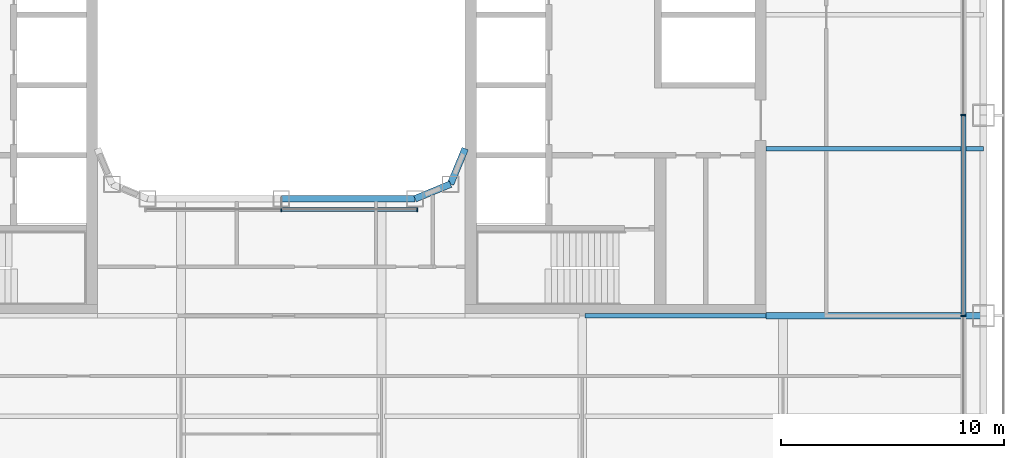
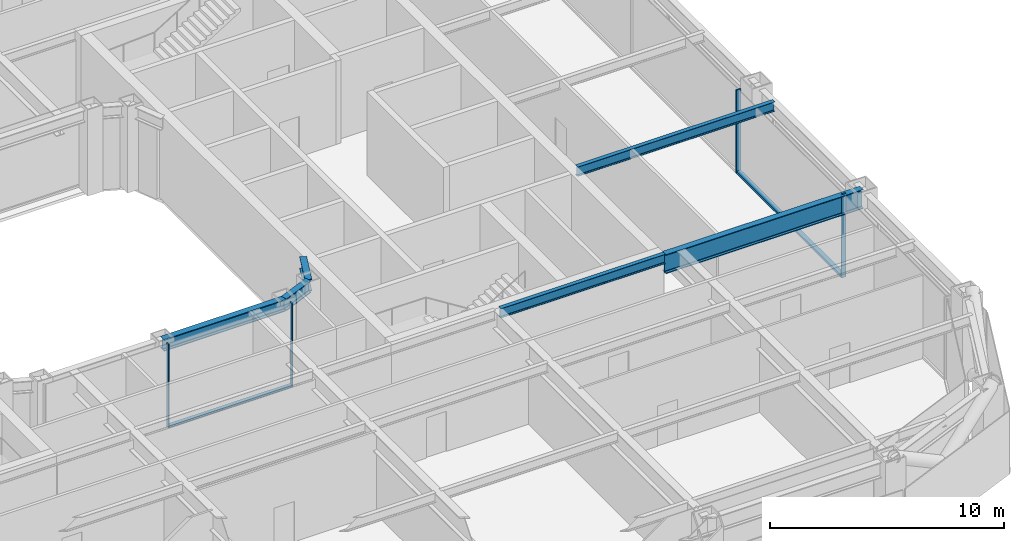
# One storey, part 5 of 27: 6 beams, 6 members, 2 elements without a shape of their own.
"""IFC4 building model written with IfcOpenShell, lengths in metres."""

from ifc_helpers import new_model, si_unit, direction, frame, origin, origin_2d, place, context, subcontext, project, spatial, rectangle, i_section, extrude, material, layer, layer_set, material_profile, profile_set, type_object, element, aggregate, save


model = new_model("IFC4")

# Units and contexts
model_context = context("Model", 3, precision=1e-05, world=origin(), true_north=direction((0.0, 1.0)))
body_context = subcontext(model_context, "Body", "Model", "MODEL_VIEW")
ifc_project = project(units=[si_unit("LENGTHUNIT", "METRE"), si_unit("AREAUNIT", "SQUARE_METRE"), si_unit("VOLUMEUNIT", "CUBIC_METRE"), si_unit("PLANEANGLEUNIT", "RADIAN"), si_unit("MASSUNIT", "GRAM", prefix="KILO")], contexts=[model_context])

# Site, building, storey
site_placement = place(None, origin())
site = spatial("IfcSite", under=ifc_project, at=site_placement, CompositionType="ELEMENT")
building_placement = place(site_placement, origin())
building = spatial("IfcBuilding", under=site, at=building_placement, Name="Siwar Civic Tower", CompositionType="ELEMENT")
storey_placement = place(building_placement, frame((0.0, 0.0, 71.699951171875)))
storey = spatial("IfcBuildingStorey", under=building, at=storey_placement, Name="L15", CompositionType="ELEMENT", Elevation=71.699951171875)

# Curtain wall, members
ifc_material_1 = material(Name="Aluminium and glass", Category="aluminium")
ifc_layer_1 = layer(ifc_material_1, 0.219970703125)
ifc_layer_set_1 = layer_set([ifc_layer_1], Name="Aluminium and glass")
curtain_wall_type_1 = type_object("IfcCurtainWallType", Name="ENV-CW-A", PredefinedType="NOTDEFINED", material=ifc_layer_set_1)
curtain_wall_1_placement = place(storey_placement, origin())
curtain_wall_1 = element("IfcCurtainWall", 1, at=curtain_wall_1_placement, inside=storey, type_object=curtain_wall_type_1, Name="Curtain wall A E", PredefinedType="NOTDEFINED")
ifc_material_2 = material(Name="Aluminium 6063-T6", Category="aluminium")
ifc_material_profile_1 = material_profile(ifc_material_2, rectangle(XDim=0.219970703125, YDim=0.070068359375, at=origin_2d()), Name="AL 220x70")
ifc_profile_set_1 = profile_set([ifc_material_profile_1], Name="Aluminium 6063-T6")
member_type_1 = type_object("IfcMemberType", Name="ENV-MULLION-A", PredefinedType="MULLION", material=ifc_profile_set_1)
member_1_placement = place(storey_placement, frame((30.60009765625, -13.5, 0.0), z_axis=(0.0, 0.0, 1.0), x_axis=(-1.0, 0.0, 0.0)))
member_1 = element("IfcMember", 2, at=member_1_placement, type_object=member_type_1, Name="Mullion A E 2", PredefinedType="MULLION", context=body_context, shape_type="SweptSolid", body=[
    extrude(rectangle(XDim=0.219970703125, YDim=0.070068359375, at=origin_2d()), origin(), (0.0, 0.0, 1.0), 4.35009765625),
])
member_2_placement = place(storey_placement, frame((30.60009765625, -4.5, 0.0), z_axis=(0.0, 0.0, 1.0), x_axis=(-1.0, 0.0, 0.0)))
member_2 = element("IfcMember", 3, at=member_2_placement, type_object=member_type_1, Name="Mullion A E 3", PredefinedType="MULLION", context=body_context, shape_type="SweptSolid", body=[
    extrude(rectangle(XDim=0.219970703125, YDim=0.070068359375, at=origin_2d()), origin(), (0.0, 0.0, 1.0), 4.35009765625),
])

ifc_material_3 = material(Name="Aluminium and glass", Category="aluminium")
ifc_layer_2 = layer(ifc_material_3, 0.179931640625)
ifc_layer_set_2 = layer_set([ifc_layer_2], Name="Aluminium and glass")
curtain_wall_type_2 = type_object("IfcCurtainWallType", Name="ENV-CW-W", PredefinedType="NOTDEFINED", material=ifc_layer_set_2)
curtain_wall_2_placement = place(storey_placement, origin())
curtain_wall_2 = element("IfcCurtainWall", 4, at=curtain_wall_2_placement, inside=storey, type_object=curtain_wall_type_2, Name="Curtain wall W WS", PredefinedType="NOTDEFINED")
ifc_material_4 = material(Name="Aluminium 6063-T6", Category="aluminium")
ifc_material_profile_2 = material_profile(ifc_material_4, rectangle(XDim=0.179931640625, YDim=0.06005859375, at=origin_2d()), Name="AL 180x60")
ifc_profile_set_2 = profile_set([ifc_material_profile_2], Name="Aluminium 6063-T6")
member_type_2 = type_object("IfcMemberType", Name="ENV-MULLION-W", PredefinedType="MULLION", material=ifc_profile_set_2)
member_3_placement = place(storey_placement, frame((0.0, -8.735107421875, 0.0), z_axis=(0.0, 0.0, 1.0), x_axis=(0.0, 1.0, 0.0)))
member_3 = element("IfcMember", 5, at=member_3_placement, type_object=member_type_2, Name="Mullion W WS 2", PredefinedType="MULLION", context=body_context, shape_type="SweptSolid", body=[
    extrude(rectangle(XDim=0.179931640625, YDim=0.06005859375, at=origin_2d()), origin(), (0.0, 0.0, 1.0), 4.35009765625),
])
member_4_placement = place(storey_placement, frame((6.096435546875, -8.735107421875, 0.0), z_axis=(0.0, 0.0, 1.0), x_axis=(0.0, 1.0, 0.0)))
member_4 = element("IfcMember", 6, at=member_4_placement, type_object=member_type_2, Name="Mullion W WS 3", PredefinedType="MULLION", context=body_context, shape_type="SweptSolid", body=[
    extrude(rectangle(XDim=0.179931640625, YDim=0.06005859375, at=origin_2d()), origin(), (0.0, 0.0, 1.0), 4.35009765625),
])

# Member
ifc_material_5 = material(Name="Aluminium 6063-T6", Category="aluminium")
ifc_material_profile_3 = material_profile(ifc_material_5, rectangle(XDim=0.219970703125, YDim=0.1201171875, at=origin_2d()), Name="AL 220x120")
ifc_profile_set_3 = profile_set([ifc_material_profile_3], Name="Aluminium 6063-T6")
member_type_3 = type_object("IfcMemberType", Name="ENV-TRANSOM-A", PredefinedType="USERDEFINED", material=ifc_profile_set_3)
member_5_placement = place(storey_placement, frame((30.60009765625, -13.465087890625, 0.06005859375), z_axis=(0.0, 1.0, 0.0), x_axis=(-1.0, 0.0, 0.0)))
member_5 = element("IfcMember", 7, at=member_5_placement, type_object=member_type_3, Name="Transom A E 2", ObjectType="TRANSOM", PredefinedType="USERDEFINED", context=body_context, shape_type="SweptSolid", body=[
    extrude(rectangle(XDim=0.219970703125, YDim=0.1201171875, at=origin_2d()), origin(), (0.0, 0.0, 1.0), 8.93017578125),
])

aggregate(curtain_wall_1, [member_1, member_2, member_5])

ifc_material_6 = material(Name="Aluminium 6063-T6", Category="aluminium")
ifc_material_profile_4 = material_profile(ifc_material_6, rectangle(XDim=0.179931640625, YDim=0.10009765625, at=origin_2d()), Name="AL 180x100")
ifc_profile_set_4 = profile_set([ifc_material_profile_4], Name="Aluminium 6063-T6")
member_type_4 = type_object("IfcMemberType", Name="ENV-TRANSOM-W", PredefinedType="USERDEFINED", material=ifc_profile_set_4)
member_6_placement = place(storey_placement, frame((0.030029296875, -8.735107421875, 0.050048828125), z_axis=(1.0, 0.0, 0.0), x_axis=(0.0, 1.0, 0.0)))
member_6 = element("IfcMember", 8, at=member_6_placement, type_object=member_type_4, Name="Transom W WS 2", ObjectType="TRANSOM", PredefinedType="USERDEFINED", context=body_context, shape_type="SweptSolid", body=[
    extrude(rectangle(XDim=0.179931640625, YDim=0.10009765625, at=origin_2d()), origin(), (0.0, 0.0, 1.0), 6.036376953125),
])

aggregate(curtain_wall_2, [member_3, member_4, member_6])

# Beams
ifc_material_7 = material(Name="Steel S355", Category="steel")
ifc_material_profile_5 = material_profile(ifc_material_7, i_section(OverallWidth=0.199951171875, OverallDepth=0.5, WebThickness=0.01025390625, FlangeThickness=0.01611328125, FilletRadius=0.02099609375, at=origin_2d()), Name="IPE500")
ifc_profile_set_5 = profile_set([ifc_material_profile_5], Name="Steel S355")
beam_type_1 = type_object("IfcBeamType", Name="STR-FB-IPE500", PredefinedType="JOIST", material=ifc_profile_set_5)
beam_1_placement = place(storey_placement, frame((13.6298828125, -13.5, 4.10009765625), z_axis=(1.0, 0.0, 0.0), x_axis=(0.0, 1.0, 0.0)))
element("IfcBeam", 9, at=beam_1_placement, inside=storey, type_object=beam_type_1, Name="L15/bm/F029", PredefinedType="JOIST", context=body_context, shape_type="SweptSolid", body=[
    extrude(i_section(OverallWidth=0.199951171875, OverallDepth=0.5, WebThickness=0.01025390625, FlangeThickness=0.01611328125, FilletRadius=0.02099609375, at=origin_2d()), origin(), (0.0, 0.0, 1.0), 8.1201171875),
])
beam_2_placement = place(storey_placement, frame((21.75, -6.0, 4.10009765625), z_axis=(1.0, 0.0, 0.0), x_axis=(0.0, 1.0, 0.0)))
element("IfcBeam", 10, at=beam_2_placement, inside=storey, type_object=beam_type_1, Name="L15/bm/F032", PredefinedType="JOIST", context=body_context, shape_type="SweptSolid", body=[
    extrude(i_section(OverallWidth=0.199951171875, OverallDepth=0.5, WebThickness=0.01025390625, FlangeThickness=0.01611328125, FilletRadius=0.02099609375, at=origin_2d()), origin(), (0.0, 0.0, 1.0), 9.75),
])
ifc_material_8 = material(Name="Steel S355", Category="steel")
ifc_material_profile_6 = material_profile(ifc_material_8, i_section(OverallWidth=0.300048828125, OverallDepth=1.0, WebThickness=0.01904296875, FlangeThickness=0.035888671875, FilletRadius=0.030029296875, at=origin_2d()), Name="HEB1000")
ifc_profile_set_6 = profile_set([ifc_material_profile_6], Name="Steel S355")
beam_type_2 = type_object("IfcBeamType", Name="STR-PG-HEB1000", PredefinedType="BEAM", material=ifc_profile_set_6)
beam_3_placement = place(storey_placement, frame((21.75, -13.5, 3.85009765625), z_axis=(1.0, 0.0, 0.0), x_axis=(0.0, 1.0, 0.0)))
element("IfcBeam", 11, at=beam_3_placement, inside=storey, type_object=beam_type_2, Name="L15/bm/F030", PredefinedType="BEAM", context=body_context, shape_type="SweptSolid", body=[
    extrude(i_section(OverallWidth=0.300048828125, OverallDepth=1.0, WebThickness=0.01904296875, FlangeThickness=0.035888671875, FilletRadius=0.030029296875, at=origin_2d()), origin(), (0.0, 0.0, 1.0), 9.75),
])
ifc_material_9 = material(Name="Steel S355", Category="steel")
ifc_material_profile_7 = material_profile(ifc_material_9, i_section(OverallWidth=0.304931640625, OverallDepth=0.6201171875, WebThickness=0.02099609375, FlangeThickness=0.0400390625, FilletRadius=0.027099609375, at=origin_2d()), Name="HEM600")
ifc_profile_set_7 = profile_set([ifc_material_profile_7], Name="Steel S355")
beam_type_3 = type_object("IfcBeamType", Name="STR-RB-HEM600", PredefinedType="BEAM", material=ifc_profile_set_7)
beam_4_placement = place(storey_placement, frame((0.0, -8.25, 4.0400390625), z_axis=(1.0, 0.0, 0.0), x_axis=(0.0, 1.0, 0.0)))
element("IfcBeam", 12, at=beam_4_placement, inside=storey, type_object=beam_type_3, Name="L15/bm/RS2", PredefinedType="BEAM", context=body_context, shape_type="SweptSolid", body=[
    extrude(i_section(OverallWidth=0.304931640625, OverallDepth=0.6201171875, WebThickness=0.02099609375, FlangeThickness=0.0400390625, FilletRadius=0.027099609375, at=origin_2d()), origin(), (0.0, 0.0, 1.0), 6.0),
])
for number, where, z_axis, x_axis, name in (
    (13, (6.0, -8.25, 4.0400390625), (0.923901072997, 0.382631424892, 0.0), (-0.382631424892, 0.923901072997, 0.0), "L15/bm/RS3"),
    (14, (7.591064453125, -7.591064453125, 4.0400390625), (0.382631424892, 0.923901072997, 0.0), (-0.923901072997, 0.382631424892, 0.0), "L15/bm/RSEE"),
):
    element("IfcBeam", number, at=place(storey_placement, frame(where, z_axis=z_axis, x_axis=x_axis)), inside=storey, type_object=beam_type_3, Name=name, PredefinedType="BEAM", context=body_context, shape_type="SweptSolid", body=[
        extrude(i_section(OverallWidth=0.304931640625, OverallDepth=0.6201171875, WebThickness=0.02099609375, FlangeThickness=0.0400390625, FilletRadius=0.027099609375, at=origin_2d()), origin(), (0.0, 0.0, 1.0), 1.72216796875),
    ])

save(model, "model.ifc")
